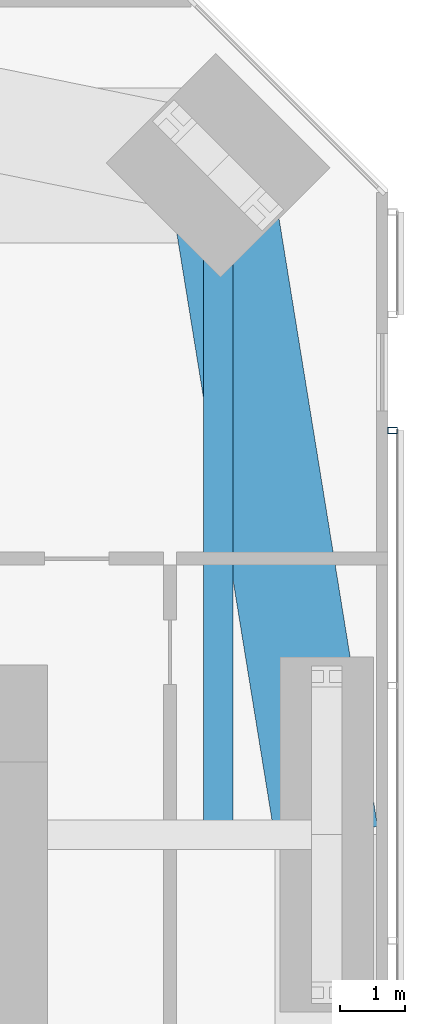
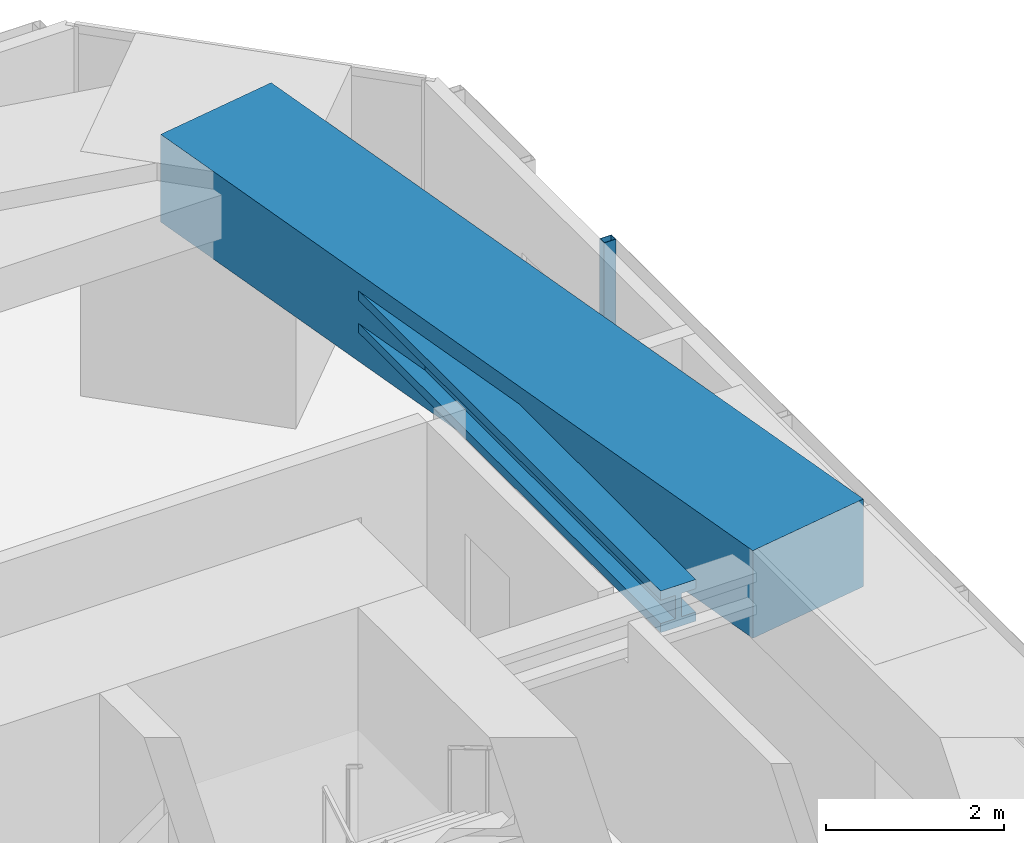
# One storey, part 11 of 24: 2 beams, 1 member, 1 element without a shape of its own.
"""IFC4 building model written with IfcOpenShell, lengths in metres."""

from ifc_helpers import new_model, si_unit, direction, frame, origin, origin_2d, place, context, subcontext, project, spatial, rectangle, hollow_rectangle, i_section, extrude, material, material_profile, profile_set, type_object, element, aggregate, save


model = new_model("IFC4")

# Units and contexts
model_context = context("Model", 3, precision=1e-05, world=origin(), true_north=direction((0.0, 1.0)))
body_context = subcontext(model_context, "Body", "Model", "MODEL_VIEW")
ifc_project = project(units=[si_unit("LENGTHUNIT", "METRE"), si_unit("AREAUNIT", "SQUARE_METRE"), si_unit("VOLUMEUNIT", "CUBIC_METRE"), si_unit("PLANEANGLEUNIT", "RADIAN"), si_unit("MASSUNIT", "GRAM", prefix="KILO")], contexts=[model_context])

# Site, building, storey
site_placement = place(None, origin())
site = spatial("IfcSite", under=ifc_project, at=site_placement, CompositionType="ELEMENT")
building_placement = place(site_placement, origin())
building = spatial("IfcBuilding", under=site, at=building_placement, Name="Jalousie Tower", CompositionType="ELEMENT")
storey_placement = place(building_placement, frame((0.0, 0.0, 131.64990234375)))
storey = spatial("IfcBuildingStorey", under=building, at=storey_placement, Name="L36", CompositionType="ELEMENT", Elevation=131.64990234375)

# Beams
ifc_material_1 = material(Name="Steel ASTM A992 Grade 50", Category="steel")
ifc_material_profile_1 = material_profile(ifc_material_1, i_section(OverallWidth=0.45458984375, OverallDepth=0.569091796875, WebThickness=0.077880859375, FlangeThickness=0.124755859375, at=origin_2d()), Name="W14X730")
ifc_profile_set_1 = profile_set([ifc_material_profile_1], Name="Steel ASTM A992 Grade 50")
beam_type_1 = type_object("IfcBeamType", Name="LEAN COLLECTOR W14X730", PredefinedType="BEAM", material=ifc_profile_set_1)
beam_1_placement = place(storey_placement, frame((46.86865234375, 35.36865234375, 2.82568359375), z_axis=(0.0, -1.0, 0.0), x_axis=(1.0, 0.0, 0.0)))
element("IfcBeam", 1, at=beam_1_placement, inside=storey, type_object=beam_type_1, Name="Lean collector under L37", PredefinedType="BEAM", context=body_context, shape_type="SweptSolid", body=[
    extrude(i_section(OverallWidth=0.45458984375, OverallDepth=0.569091796875, WebThickness=0.077880859375, FlangeThickness=0.124755859375, at=origin_2d()), origin(), (0.0, 0.0, 1.0), 10.36865234375),
])
ifc_material_2 = material(Name="Concrete f'c 40 MPa", Category="concrete")
ifc_material_profile_2 = material_profile(ifc_material_2, rectangle(XDim=1.60009765625, YDim=1.199951171875, at=origin_2d()), Name="RC 1600x1200")
ifc_profile_set_2 = profile_set([ifc_material_profile_2], Name="Concrete f'c 40 MPa")
beam_type_2 = type_object("IfcBeamType", Name="RC BEAM 1600x1200", PredefinedType="BEAM", material=ifc_profile_set_2)
beam_2_placement = place(storey_placement, frame((48.550048828125, 25.0, 2.75), z_axis=(-0.160070546476, 0.987105577003, 0.0), x_axis=(-0.987105577003, -0.160070546476, 0.0)))
element("IfcBeam", 2, at=beam_2_placement, inside=storey, type_object=beam_type_2, Name="Edge band beam 07-08 under L37", PredefinedType="BEAM", context=body_context, shape_type="SweptSolid", body=[
    extrude(rectangle(XDim=1.60009765625, YDim=1.199951171875, at=origin_2d()), origin(), (0.0, 0.0, 1.0), 10.504150390625),
])

# Curtain wall, member
ifc_material_3 = material(Name="Perforated aluminium sheet", Category="aluminium")
curtain_wall_type = type_object("IfcCurtainWallType", Name="SOLAR SCREEN SS-1", PredefinedType="USERDEFINED", material=ifc_material_3)
curtain_wall_placement = place(storey_placement, origin())
curtain_wall = element("IfcCurtainWall", 3, at=curtain_wall_placement, inside=storey, type_object=curtain_wall_type, Name="Solar screen L36", ObjectType="SOLAR SCREEN SS-1", PredefinedType="USERDEFINED")
ifc_material_4 = material(Name="Steel ASTM A500 Grade C", Category="steel")
ifc_material_profile_3 = material_profile(ifc_material_4, hollow_rectangle(XDim=0.1015625, YDim=0.15234375, WallThickness=0.00634765625, at=origin_2d()), Name="HSS6X4X1/4")
ifc_profile_set_3 = profile_set([ifc_material_profile_3], Name="Steel ASTM A500 Grade C")
member_type = type_object("IfcMemberType", Name="SOLAR SCREEN SS-1 MULLION", PredefinedType="MULLION", material=ifc_profile_set_3)
member_placement = place(storey_placement, frame((49.5712890625, 31.261962890625, -0.119873046875), z_axis=(0.0, 0.0, 1.0), x_axis=(0.0, 1.0, 0.0)))
member = element("IfcMember", 4, at=member_placement, type_object=member_type, Name="SS1 post 4", PredefinedType="MULLION", context=body_context, shape_type="SweptSolid", body=[
    extrude(hollow_rectangle(XDim=0.1015625, YDim=0.15234375, WallThickness=0.00634765625, at=origin_2d()), origin(), (0.0, 0.0, 1.0), 3.22998046875),
])
aggregate(curtain_wall, [member])

save(model, "model.ifc")
